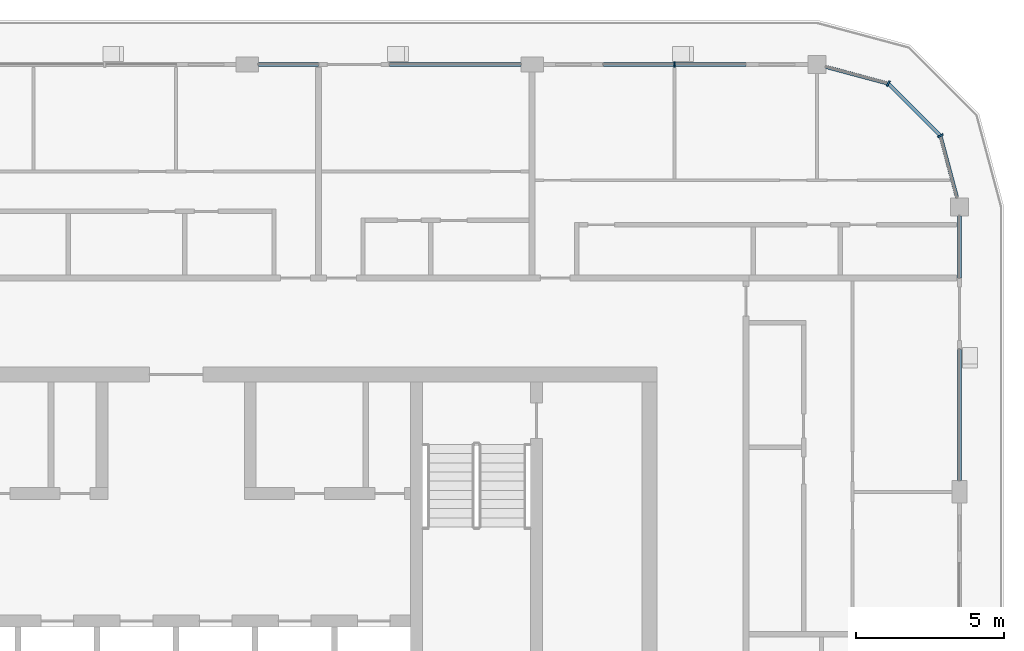
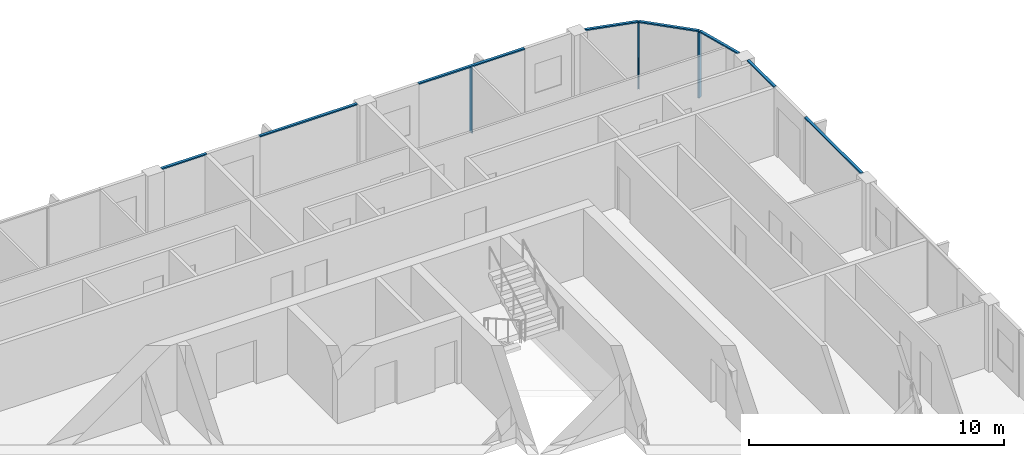
# One storey, part 6 of 21: 11 members, 4 elements without a shape of their own.
"""IFC4 building model written with IfcOpenShell, lengths in metres."""

import ifcopenshell
import ifcopenshell.guid

model = None  # the IFC model being written
_history = None  # IfcOwnerHistory: only IFC2X3 demands one
_inside = {}  # id of a spatial element -> (the spatial element, [elements in it])
_under = {}  # id of a project, library or spatial element -> (it, [spatial elements below it])
_declared = {}  # id of a project -> (the project, [libraries it declares])
_typed = {}  # id of a type object -> (the type object, [elements of that type])
_made_of = {}  # id of a material, layer set ... -> (it, [elements and type objects made of it])


def new_model(schema):
    """Start an empty IFC model of exactly this schema.

    Asked for "IFC4X3", IfcOpenShell would pick the latest addendum, in which some entities
    have other attributes; the version numbers below select the first issue.
    IFC2X3 requires an IfcOwnerHistory on every rooted entity: one is made here for all.
    """
    global model, _history
    if schema == "IFC4X3":
        model = ifcopenshell.file(schema_version=(4, 3, 0, 0))
    else:
        model = ifcopenshell.file(schema=schema)
    _inside.clear()
    _under.clear()
    _declared.clear()
    _typed.clear()
    _made_of.clear()
    _history = None
    if model.schema == "IFC2X3":
        org = make("IfcOrganization", Name="unknown")
        user = make(
            "IfcPersonAndOrganization",
            ThePerson=make("IfcPerson", FamilyName="unknown"),
            TheOrganization=org,
        )
        app = make(
            "IfcApplication",
            ApplicationDeveloper=org,
            Version="unknown",
            ApplicationFullName="unknown",
            ApplicationIdentifier="unknown",
        )
        _history = make(
            "IfcOwnerHistory",
            OwningUser=user,
            OwningApplication=app,
            ChangeAction="ADDED",
            CreationDate=0,
        )
    return model


def make(cls, **values):
    """One entity of the class cls with the attributes given. An attribute that is None is left unset."""
    return model.create_entity(
        cls, **{name: value for name, value in values.items() if value is not None}
    )


def rooted(cls, **values):
    """An entity with a GlobalId (a new one), such as an element, a storey or a relation."""
    return make(cls, GlobalId=ifcopenshell.guid.new(), OwnerHistory=_history, **values)


def si_unit(unit_type, name, prefix=None):
    """IfcSIUnit, for example si_unit("LENGTHUNIT", "METRE", prefix="MILLI")."""
    return make("IfcSIUnit", UnitType=unit_type, Prefix=prefix, Name=name)


def assignment(units):
    """IfcUnitAssignment: the units of a project."""
    return None if units is None else make("IfcUnitAssignment", Units=units)


def point(xyz):
    """IfcCartesianPoint."""
    return None if xyz is None else make("IfcCartesianPoint", Coordinates=xyz)


def direction(xyz):
    """IfcDirection."""
    return None if xyz is None else make("IfcDirection", DirectionRatios=xyz)


def frame(location, z_axis=None, x_axis=None):
    """IfcAxis2Placement3D, a coordinate frame: its origin and axes. An axis left out is left unset."""
    return make(
        "IfcAxis2Placement3D",
        Location=point(location),
        Axis=direction(z_axis),
        RefDirection=direction(x_axis),
    )


def frame_2d(location, x_axis=None):
    """IfcAxis2Placement2D, a coordinate frame in the plane: its origin and x axis."""
    return make(
        "IfcAxis2Placement2D", Location=point(location), RefDirection=direction(x_axis)
    )


def origin():
    """The frame at (0, 0, 0) with its axes left unset."""
    return frame((0.0, 0.0, 0.0))


def origin_2d():
    """The frame at (0, 0) in the plane with its x axis left unset."""
    return frame_2d((0.0, 0.0))


def place(relative_to, where):
    """IfcLocalPlacement: puts the frame where relative to a parent placement (None: the world)."""
    return make(
        "IfcLocalPlacement", PlacementRelTo=relative_to, RelativePlacement=where
    )


def context(
    kind, dimensions, precision=None, world=None, true_north=None, identifier=None
):
    """IfcGeometricRepresentationContext, for example the 3D "Model" context."""
    return make(
        "IfcGeometricRepresentationContext",
        ContextIdentifier=identifier,
        ContextType=kind,
        CoordinateSpaceDimension=dimensions,
        Precision=precision,
        WorldCoordinateSystem=world,
        TrueNorth=true_north,
    )


def subcontext(parent, identifier, kind, view, scale=None):
    """IfcGeometricRepresentationSubContext, for example "Body" below "Model"."""
    return make(
        "IfcGeometricRepresentationSubContext",
        ContextIdentifier=identifier,
        ContextType=kind,
        ParentContext=parent,
        TargetScale=scale,
        TargetView=view,
    )


def project(units=None, contexts=None):
    """IfcProject with its units and contexts."""
    return rooted(
        "IfcProject",
        Name="project",
        RepresentationContexts=contexts,
        UnitsInContext=assignment(units),
    )


def spatial(cls, under=None, at=None, **own):
    """A site, building, storey or space (cls), placed at a placement, below another one or the project."""
    s = rooted(cls, ObjectPlacement=at, **own)
    if under is not None:
        _under.setdefault(under.id(), (under, []))[1].append(s)
    return s


def profile(cls, at=None, kind="AREA", **sizes):
    """A parametric profile (cls). Its sizes go by their IFC names, for example OverallWidth=200.0."""
    return make(cls, ProfileType=kind, Position=at, **sizes)


def rectangle(**sizes):
    """IfcRectangleProfileDef."""
    return profile("IfcRectangleProfileDef", **sizes)


def extrude(swept, where, along, depth):
    """IfcExtrudedAreaSolid: the profile swept, set in the frame where, extruded along a direction by depth."""
    return make(
        "IfcExtrudedAreaSolid",
        SweptArea=swept,
        Position=where,
        ExtrudedDirection=direction(along),
        Depth=depth,
    )


def shape(context_of_items, identifier, shape_type, items):
    """IfcShapeRepresentation: the items that make up one representation, for example the "Body"."""
    return make(
        "IfcShapeRepresentation",
        ContextOfItems=context_of_items,
        RepresentationIdentifier=identifier,
        RepresentationType=shape_type,
        Items=items,
    )


def material(Name=None, Category=None):
    """IfcMaterial."""
    return make("IfcMaterial", Name=Name, Category=Category)


def layer(
    of_material, thickness, ventilated=None, Name=None, Category=None, Priority=None
):
    """IfcMaterialLayer: one layer of a wall or slab, of a material (None: an air gap)."""
    return make(
        "IfcMaterialLayer",
        Material=of_material,
        LayerThickness=thickness,
        IsVentilated=ventilated,
        Name=Name,
        Category=Category,
        Priority=Priority,
    )


def layer_set(layers, Name=None):
    """IfcMaterialLayerSet."""
    return make("IfcMaterialLayerSet", MaterialLayers=layers, LayerSetName=Name)


def material_profile(
    of_material, cross_section, Name=None, Category=None, Priority=None
):
    """IfcMaterialProfile: a cross section and its material."""
    return make(
        "IfcMaterialProfile",
        Name=Name,
        Material=of_material,
        Profile=cross_section,
        Priority=Priority,
        Category=Category,
    )


def profile_set(profiles, Name=None, composite=None):
    """IfcMaterialProfileSet."""
    return make(
        "IfcMaterialProfileSet",
        Name=Name,
        MaterialProfiles=profiles,
        CompositeProfile=composite,
    )


def made_of(thing, what):
    """Note that an element or type object is made of a material, layer set ...; save() writes the relation."""
    if what is not None:
        _made_of.setdefault(what.id(), (what, []))[1].append(thing)
    return thing


def type_object(cls, material=None, **own):
    """A type object (cls), such as IfcWallType, which elements share."""
    return made_of(rooted(cls, **own), material)


def element(
    cls,
    number,
    at=None,
    inside=None,
    cuts=None,
    type_object=None,
    material=None,
    context=None,
    identifier="Body",
    shape_type=None,
    held_by="IfcProductDefinitionShape",
    body=None,
    shapes=None,
    **own,
):
    """One element of the class cls, such as IfcWall. Its Tag is "e" and its number.

    at: its placement. inside: the storey or other place that contains it. cuts: it is an
    opening in that element (IfcRelVoidsElement). A single representation is given by context,
    identifier, shape_type and body (its items); several are given by shapes. held_by: the class
    of the entity that holds the representations. save() writes the other relations.
    """
    e = rooted(cls, Tag="e%d" % number, ObjectPlacement=at, **own)
    if body is not None:
        shapes = [shape(context, identifier, shape_type, body)]
    if shapes is not None:
        e.Representation = make(held_by, Representations=shapes)
    if inside is not None:
        _inside.setdefault(inside.id(), (inside, []))[1].append(e)
    if cuts is not None:
        rooted(
            "IfcRelVoidsElement", RelatingBuildingElement=cuts, RelatedOpeningElement=e
        )
    if type_object is not None:
        _typed.setdefault(type_object.id(), (type_object, []))[1].append(e)
    return made_of(e, material)


def aggregate(whole, parts):
    """IfcRelAggregates: a whole, such as a stair, and the parts it consists of."""
    return rooted("IfcRelAggregates", RelatingObject=whole, RelatedObjects=parts)


def save(model, path):
    """Write the relations noted so far, then the file.

    IfcRelAggregates (storeys below a building ...), IfcRelContainedInSpatialStructure (elements
    in a storey), IfcRelDefinesByType, IfcRelAssociatesMaterial and IfcRelDeclares: one each for
    every whole, place, type object, material and project.
    """
    for whole, parts in _under.values():
        aggregate(whole, parts)
    for where, things in _inside.values():
        rooted(
            "IfcRelContainedInSpatialStructure",
            RelatedElements=things,
            RelatingStructure=where,
        )
    for kind, things in _typed.values():
        rooted("IfcRelDefinesByType", RelatedObjects=things, RelatingType=kind)
    for what, things in _made_of.values():
        rooted("IfcRelAssociatesMaterial", RelatedObjects=things, RelatingMaterial=what)
    for by, libraries in _declared.values():
        rooted("IfcRelDeclares", RelatingContext=by, RelatedDefinitions=libraries)
    model.write(path)


model = new_model("IFC4")

# Units and contexts
model_context = context("Model", 3, precision=1e-05, world=origin(), true_north=direction((0.0, 1.0)))
body_context = subcontext(model_context, "Body", "Model", "MODEL_VIEW")
ifc_project = project(units=[si_unit("LENGTHUNIT", "METRE"), si_unit("AREAUNIT", "SQUARE_METRE"), si_unit("VOLUMEUNIT", "CUBIC_METRE"), si_unit("PLANEANGLEUNIT", "RADIAN"), si_unit("MASSUNIT", "GRAM", prefix="KILO")], contexts=[model_context])

# Site, building, storey
site_placement = place(None, origin())
site = spatial("IfcSite", under=ifc_project, at=site_placement, CompositionType="ELEMENT")
building_placement = place(site_placement, origin())
building = spatial("IfcBuilding", under=site, at=building_placement, Name="Madar Terraces", CompositionType="ELEMENT")
storey_placement = place(building_placement, frame((0.0, 0.0, 272.10009765625)))
storey = spatial("IfcBuildingStorey", under=building, at=storey_placement, Name="L71", CompositionType="ELEMENT", Elevation=272.10009765625)

# Curtain wall, member
ifc_material_1 = material(Name="Glass, ceramic frit dark grey, with black aluminium frame", Category="aluminium")
ifc_layer = layer(ifc_material_1, 0.199951171875)
ifc_layer_set = layer_set([ifc_layer], Name="Facade curtain wall, fritted glass")
curtain_wall_type = type_object("IfcCurtainWallType", Name="Facade curtain wall, fritted glass", PredefinedType="NOTDEFINED", material=ifc_layer_set)
curtain_wall_1_placement = place(storey_placement, origin())
curtain_wall_1 = element("IfcCurtainWall", 1, at=curtain_wall_1_placement, inside=storey, type_object=curtain_wall_type, Name="Outer skin curtain wall north bay 1", PredefinedType="NOTDEFINED")
ifc_material_2 = material(Name="Aluminium, black anodised", Category="aluminium")
ifc_material_profile_1 = material_profile(ifc_material_2, rectangle(XDim=0.199951171875, YDim=0.06005859375, at=origin_2d()), Name="Facade mullion 60x200")
ifc_profile_set_1 = profile_set([ifc_material_profile_1], Name="Aluminium, black anodised")
member_type_1 = type_object("IfcMemberType", Name="Facade mullion 60x200", PredefinedType="MULLION", material=ifc_profile_set_1)
member_1_placement = place(storey_placement, frame((48.0, 48.0, 0.0), z_axis=(0.0, 0.0, 1.0), x_axis=(0.0, -1.0, 0.0)))
member_1 = element("IfcMember", 2, at=member_1_placement, type_object=member_type_1, Name="Mullion 1", PredefinedType="MULLION", context=body_context, shape_type="SweptSolid", body=[
    extrude(rectangle(XDim=0.199951171875, YDim=0.06005859375, at=origin_2d()), origin(), (0.0, 0.0, 1.0), 3.139892578125),
])

# Curtain wall, members
curtain_wall_2_placement = place(storey_placement, origin())
curtain_wall_2 = element("IfcCurtainWall", 3, at=curtain_wall_2_placement, inside=storey, type_object=curtain_wall_type, Name="Outer skin curtain wall north-east corner", PredefinedType="NOTDEFINED")
member_2_placement = place(storey_placement, frame((56.95703125, 45.60009765625, 0.0), z_axis=(0.0, 0.0, 1.0), x_axis=(-0.866025409797, -0.499999989586, 0.0)))
member_2 = element("IfcMember", 4, at=member_2_placement, type_object=member_type_1, Name="Mullion 1", PredefinedType="MULLION", context=body_context, shape_type="SweptSolid", body=[
    extrude(rectangle(XDim=0.199951171875, YDim=0.06005859375, at=origin_2d()), origin(), (0.0, 0.0, 1.0), 3.139892578125),
])
member_3_placement = place(storey_placement, frame((55.199951171875, 47.35693359375, 0.0), z_axis=(0.0, 0.0, 1.0), x_axis=(-0.499999989586, -0.866025409797, 0.0)))
member_3 = element("IfcMember", 5, at=member_3_placement, type_object=member_type_1, Name="Mullion 2", PredefinedType="MULLION", context=body_context, shape_type="SweptSolid", body=[
    extrude(rectangle(XDim=0.199951171875, YDim=0.06005859375, at=origin_2d()), origin(), (0.0, 0.0, 1.0), 3.139892578125),
])

curtain_wall_3_placement = place(storey_placement, origin())
curtain_wall_3 = element("IfcCurtainWall", 6, at=curtain_wall_3_placement, inside=storey, type_object=curtain_wall_type, Name="Outer skin curtain wall east bay 4", PredefinedType="NOTDEFINED")
ifc_material_3 = material(Name="Aluminium, black anodised", Category="aluminium")
ifc_material_profile_2 = material_profile(ifc_material_3, rectangle(XDim=0.1201171875, YDim=0.06005859375, at=origin_2d()), Name="Facade transom 60x120")
ifc_profile_set_2 = profile_set([ifc_material_profile_2], Name="Aluminium, black anodised")
member_type_2 = type_object("IfcMemberType", Name="Facade transom 60x120", PredefinedType="USERDEFINED", material=ifc_profile_set_2)
member_4_placement = place(storey_placement, frame((57.60009765625, 33.97509765625, 3.169921875), z_axis=(0.0, 1.0, 0.0), x_axis=(-1.0, 0.0, 0.0)))
member_4 = element("IfcMember", 7, at=member_4_placement, type_object=member_type_2, Name="Transom 1", ObjectType="TRANSOM", PredefinedType="USERDEFINED", context=body_context, shape_type="SweptSolid", body=[
    extrude(rectangle(XDim=0.1201171875, YDim=0.06005859375, at=origin_2d()), origin(), (0.0, 0.0, 1.0), 4.4248046875),
])
member_5_placement = place(storey_placement, frame((57.60009765625, 40.800048828125, 3.169921875), z_axis=(0.0, 1.0, 0.0), x_axis=(-1.0, 0.0, 0.0)))
member_5 = element("IfcMember", 8, at=member_5_placement, type_object=member_type_2, Name="Transom 2", ObjectType="TRANSOM", PredefinedType="USERDEFINED", context=body_context, shape_type="SweptSolid", body=[
    extrude(rectangle(XDim=0.1201171875, YDim=0.06005859375, at=origin_2d()), origin(), (0.0, 0.0, 1.0), 2.099853515625),
])
aggregate(curtain_wall_3, [member_4, member_5])

# Member
member_6_placement = place(storey_placement, frame((50.39990234375, 48.0, 3.169921875), z_axis=(-1.0, 0.0, 0.0), x_axis=(0.0, -1.0, 0.0)))
member_6 = element("IfcMember", 9, at=member_6_placement, type_object=member_type_2, Name="Transom 1", ObjectType="TRANSOM", PredefinedType="USERDEFINED", context=body_context, shape_type="SweptSolid", body=[
    extrude(rectangle(XDim=0.1201171875, YDim=0.06005859375, at=origin_2d()), origin(), (0.0, 0.0, 1.0), 4.7998046875),
])

aggregate(curtain_wall_1, [member_1, member_6])

# Curtain wall, members
curtain_wall_4_placement = place(storey_placement, origin())
curtain_wall_4 = element("IfcCurtainWall", 10, at=curtain_wall_4_placement, inside=storey, type_object=curtain_wall_type, Name="Outer skin curtain wall north bay 2", PredefinedType="NOTDEFINED")
member_7_placement = place(storey_placement, frame((42.824951171875, 48.0, 3.169921875), z_axis=(-1.0, 0.0, 0.0), x_axis=(0.0, -1.0, 0.0)))
member_7 = element("IfcMember", 11, at=member_7_placement, type_object=member_type_2, Name="Transom 1", ObjectType="TRANSOM", PredefinedType="USERDEFINED", context=body_context, shape_type="SweptSolid", body=[
    extrude(rectangle(XDim=0.1201171875, YDim=0.06005859375, at=origin_2d()), origin(), (0.0, 0.0, 1.0), 4.425048828125),
])
member_8_placement = place(storey_placement, frame((36.0, 48.0, 3.169921875), z_axis=(-1.0, 0.0, 0.0), x_axis=(0.0, -1.0, 0.0)))
member_8 = element("IfcMember", 12, at=member_8_placement, type_object=member_type_2, Name="Transom 2", ObjectType="TRANSOM", PredefinedType="USERDEFINED", context=body_context, shape_type="SweptSolid", body=[
    extrude(rectangle(XDim=0.1201171875, YDim=0.06005859375, at=origin_2d()), origin(), (0.0, 0.0, 1.0), 2.02490234375),
])
aggregate(curtain_wall_4, [member_7, member_8])

# Member
member_9_placement = place(storey_placement, frame((57.51953125, 43.5, 3.169921875), z_axis=(-0.258817664066, 0.965926196336, 0.0), x_axis=(-0.965926196336, -0.258817664066, 0.0)))
member_9 = element("IfcMember", 13, at=member_9_placement, type_object=member_type_2, Name="Transom 1", ObjectType="TRANSOM", PredefinedType="USERDEFINED", context=body_context, shape_type="SweptSolid", body=[
    extrude(rectangle(XDim=0.1201171875, YDim=0.06005859375, at=origin_2d()), origin(), (0.0, 0.0, 1.0), 2.14404296875),
])

member_10_placement = place(storey_placement, frame((56.935791015625, 45.62109375, 3.169921875), z_axis=(-0.707106781187, 0.707106781187, 0.0), x_axis=(-0.707106781187, -0.707106781187, 0.0)))
member_10 = element("IfcMember", 14, at=member_10_placement, type_object=member_type_2, Name="Transom 2", ObjectType="TRANSOM", PredefinedType="USERDEFINED", context=body_context, shape_type="SweptSolid", body=[
    extrude(rectangle(XDim=0.1201171875, YDim=0.06005859375, at=origin_2d()), origin(), (0.0, 0.0, 1.0), 2.4248046875),
])

member_11_placement = place(storey_placement, frame((55.171142578125, 47.36474609375, 3.169921875), z_axis=(-0.965926196336, 0.258817664066, 0.0), x_axis=(-0.258817664066, -0.965926196336, 0.0)))
member_11 = element("IfcMember", 15, at=member_11_placement, type_object=member_type_2, Name="Transom 3", ObjectType="TRANSOM", PredefinedType="USERDEFINED", context=body_context, shape_type="SweptSolid", body=[
    extrude(rectangle(XDim=0.1201171875, YDim=0.06005859375, at=origin_2d()), origin(), (0.0, 0.0, 1.0), 2.14404296875),
])

aggregate(curtain_wall_2, [member_2, member_9, member_3, member_10, member_11])

save(model, "model.ifc")
